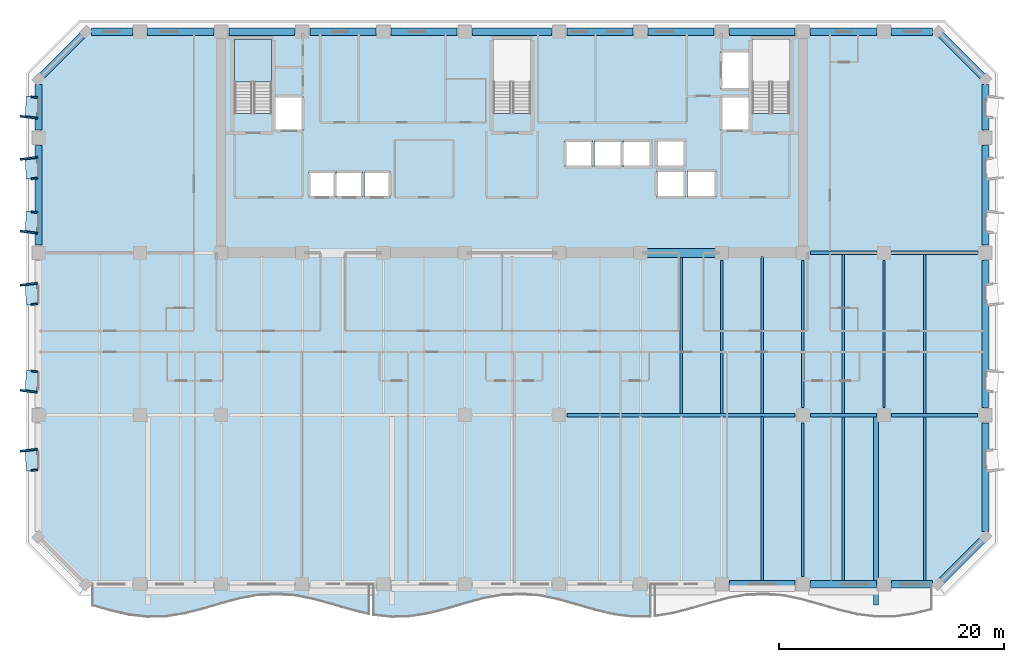
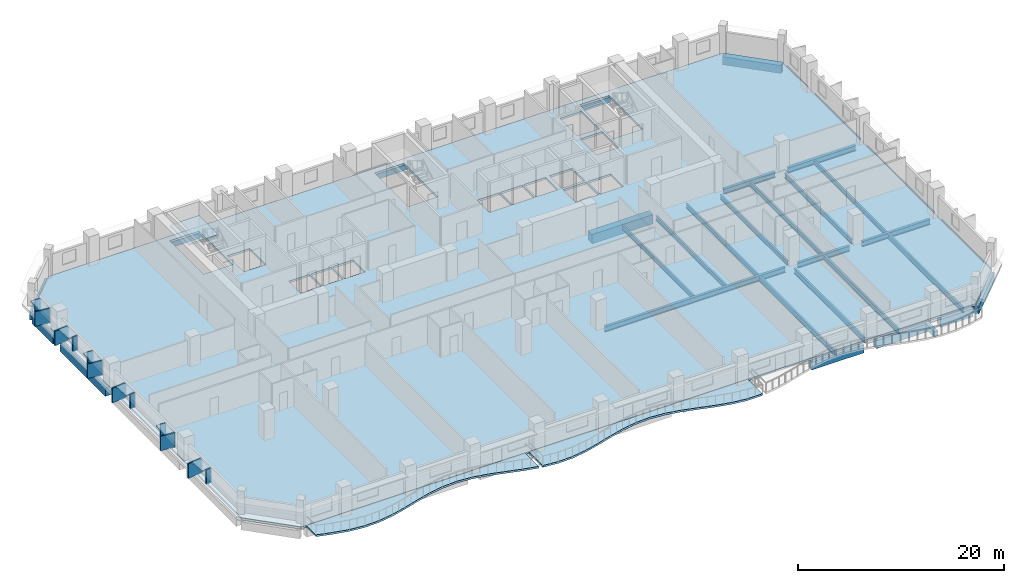
# One storey, part 2 of 14: 41 beams, 18 plates, 4 slabs, 1 element without a shape of its own.
"""IFC4 building model written with IfcOpenShell, lengths in metres."""

from ifc_helpers import new_model, si_unit, direction, frame, origin, origin_2d, place, context, subcontext, project, spatial, polyline, rectangle, i_section, outline, extrude, material, layer, layer_set, material_profile, profile_set, type_object, element, aggregate, save


model = new_model("IFC4")

# Units and contexts
model_context = context("Model", 3, precision=1e-05, world=origin(), true_north=direction((0.0, 1.0)))
body_context = subcontext(model_context, "Body", "Model", "MODEL_VIEW")
ifc_project = project(units=[si_unit("LENGTHUNIT", "METRE"), si_unit("AREAUNIT", "SQUARE_METRE"), si_unit("VOLUMEUNIT", "CUBIC_METRE"), si_unit("PLANEANGLEUNIT", "RADIAN"), si_unit("MASSUNIT", "GRAM", prefix="KILO")], contexts=[model_context])

# Site, building, storey
site_placement = place(None, origin())
site = spatial("IfcSite", under=ifc_project, at=site_placement, CompositionType="ELEMENT")
building_placement = place(site_placement, origin())
building = spatial("IfcBuilding", under=site, at=building_placement, Name="Kaelvorn Grand Hotel", CompositionType="ELEMENT")
storey_placement = place(building_placement, frame((0.0, 0.0, 85.550048828125)))
storey = spatial("IfcBuildingStorey", under=building, at=storey_placement, Name="L19", CompositionType="ELEMENT", Elevation=85.550048828125)

# Beams
ifc_material_1 = material(Name="Steel S355", Category="steel")
ifc_material_profile_1 = material_profile(ifc_material_1, i_section(OverallWidth=0.300048828125, OverallDepth=0.64990234375, WebThickness=0.01611328125, FlangeThickness=0.031005859375, FilletRadius=0.027099609375, at=origin_2d()), Name="HEB 650")
ifc_profile_set_1 = profile_set([ifc_material_profile_1], Name="Steel S355")
beam_type_1 = type_object("IfcBeamType", Name="BM-G-HEB650-S355", PredefinedType="BEAM", material=ifc_profile_set_1)
beam_1_placement = place(storey_placement, frame((46.885009765625, 15.0, -0.56494140625), z_axis=(1.0, 0.0, 0.0), x_axis=(0.0, 1.0, 0.0)))
element("IfcBeam", 1, at=beam_1_placement, inside=storey, type_object=beam_type_1, Name="L19 Primary Spine Steel Girder G-15 05", PredefinedType="BEAM", context=body_context, shape_type="SweptSolid", body=[
    extrude(i_section(OverallWidth=0.300048828125, OverallDepth=0.64990234375, WebThickness=0.01611328125, FlangeThickness=0.031005859375, FilletRadius=0.027099609375, at=origin_2d()), origin(), (0.0, 0.0, 1.0), 20.22998046875),
])
beam_2_placement = place(storey_placement, frame((68.485107421875, 15.0, -0.56494140625), z_axis=(1.0, 0.0, 0.0), x_axis=(0.0, 1.0, 0.0)))
element("IfcBeam", 2, at=beam_2_placement, inside=storey, type_object=beam_type_1, Name="L19 Primary Spine Steel Girder G-15 06", PredefinedType="BEAM", context=body_context, shape_type="SweptSolid", body=[
    extrude(i_section(OverallWidth=0.300048828125, OverallDepth=0.64990234375, WebThickness=0.01611328125, FlangeThickness=0.031005859375, FilletRadius=0.027099609375, at=origin_2d()), origin(), (0.0, 0.0, 1.0), 5.829833984375),
])
beam_3_placement = place(storey_placement, frame((75.68505859375, 15.0, -0.56494140625), z_axis=(1.0, 0.0, 0.0), x_axis=(0.0, 1.0, 0.0)))
element("IfcBeam", 3, at=beam_3_placement, inside=storey, type_object=beam_type_1, Name="L19 Primary Spine Steel Girder G-15 07", PredefinedType="BEAM", context=body_context, shape_type="SweptSolid", body=[
    extrude(i_section(OverallWidth=0.300048828125, OverallDepth=0.64990234375, WebThickness=0.01611328125, FlangeThickness=0.031005859375, FilletRadius=0.027099609375, at=origin_2d()), origin(), (0.0, 0.0, 1.0), 7.6298828125),
])
beam_4_placement = place(storey_placement, frame((68.485107421875, 29.39990234375, -0.56494140625), z_axis=(1.0, 0.0, 0.0), x_axis=(0.0, 1.0, 0.0)))
element("IfcBeam", 4, at=beam_4_placement, inside=storey, type_object=beam_type_1, Name="L19 East Core Wing Steel Girder G-29E 01", PredefinedType="BEAM", context=body_context, shape_type="SweptSolid", body=[
    extrude(i_section(OverallWidth=0.300048828125, OverallDepth=0.64990234375, WebThickness=0.01611328125, FlangeThickness=0.031005859375, FilletRadius=0.027099609375, at=origin_2d()), origin(), (0.0, 0.0, 1.0), 5.829833984375),
])
beam_5_placement = place(storey_placement, frame((75.68505859375, 29.39990234375, -0.56494140625), z_axis=(1.0, 0.0, 0.0), x_axis=(0.0, 1.0, 0.0)))
element("IfcBeam", 5, at=beam_5_placement, inside=storey, type_object=beam_type_1, Name="L19 East Core Wing Steel Girder G-29E 02", PredefinedType="BEAM", context=body_context, shape_type="SweptSolid", body=[
    extrude(i_section(OverallWidth=0.300048828125, OverallDepth=0.64990234375, WebThickness=0.01611328125, FlangeThickness=0.031005859375, FilletRadius=0.027099609375, at=origin_2d()), origin(), (0.0, 0.0, 1.0), 7.6298828125),
])
ifc_material_profile_2 = material_profile(ifc_material_1, i_section(OverallWidth=0.209228515625, OverallDepth=0.533203125, WebThickness=0.010009765625, FlangeThickness=0.015625, FilletRadius=0.0126953125, at=origin_2d()), Name="UB 533x210x92")
ifc_profile_set_2 = profile_set([ifc_material_profile_2], Name="Steel S355")
beam_type_2 = type_object("IfcBeamType", Name="BM-J-UB533-S355", PredefinedType="JOIST", material=ifc_profile_set_2)
beam_6_placement = place(storey_placement, frame((57.0, 15.135009765625, -0.506591796875), z_axis=(0.0, 1.0, 0.0), x_axis=(-1.0, 0.0, 0.0)))
element("IfcBeam", 6, at=beam_6_placement, inside=storey, type_object=beam_type_2, Name="L19 Composite Floor Joist JM-16", PredefinedType="JOIST", context=body_context, shape_type="SweptSolid", body=[
    extrude(i_section(OverallWidth=0.209228515625, OverallDepth=0.533203125, WebThickness=0.010009765625, FlangeThickness=0.015625, FilletRadius=0.0126953125, at=origin_2d()), origin(), (0.0, 0.0, 1.0), 13.925048828125),
])
beam_7_placement = place(storey_placement, frame((60.60009765625, 15.135009765625, -0.506591796875), z_axis=(0.0, 1.0, 0.0), x_axis=(-1.0, 0.0, 0.0)))
element("IfcBeam", 7, at=beam_7_placement, inside=storey, type_object=beam_type_2, Name="L19 Composite Floor Joist JM-17", PredefinedType="JOIST", context=body_context, shape_type="SweptSolid", body=[
    extrude(i_section(OverallWidth=0.209228515625, OverallDepth=0.533203125, WebThickness=0.010009765625, FlangeThickness=0.015625, FilletRadius=0.0126953125, at=origin_2d()), origin(), (0.0, 0.0, 1.0), 13.580078125),
])
beam_8_placement = place(storey_placement, frame((64.199951171875, 15.135009765625, -0.506591796875), z_axis=(0.0, 1.0, 0.0), x_axis=(-1.0, 0.0, 0.0)))
element("IfcBeam", 8, at=beam_8_placement, inside=storey, type_object=beam_type_2, Name="L19 Composite Floor Joist JM-18", PredefinedType="JOIST", context=body_context, shape_type="SweptSolid", body=[
    extrude(i_section(OverallWidth=0.209228515625, OverallDepth=0.533203125, WebThickness=0.010009765625, FlangeThickness=0.015625, FilletRadius=0.0126953125, at=origin_2d()), origin(), (0.0, 0.0, 1.0), 13.925048828125),
])
beam_9_placement = place(storey_placement, frame((67.800048828125, 15.68505859375, -0.506591796875), z_axis=(0.0, 1.0, 0.0), x_axis=(-1.0, 0.0, 0.0)))
element("IfcBeam", 9, at=beam_9_placement, inside=storey, type_object=beam_type_2, Name="L19 Composite Floor Joist JM-19", PredefinedType="JOIST", context=body_context, shape_type="SweptSolid", body=[
    extrude(i_section(OverallWidth=0.209228515625, OverallDepth=0.533203125, WebThickness=0.010009765625, FlangeThickness=0.015625, FilletRadius=0.0126953125, at=origin_2d()), origin(), (0.0, 0.0, 1.0), 13.030029296875),
])
beam_10_placement = place(storey_placement, frame((71.39990234375, 15.135009765625, -0.506591796875), z_axis=(0.0, 1.0, 0.0), x_axis=(-1.0, 0.0, 0.0)))
element("IfcBeam", 10, at=beam_10_placement, inside=storey, type_object=beam_type_2, Name="L19 Composite Floor Joist JM-20", PredefinedType="JOIST", context=body_context, shape_type="SweptSolid", body=[
    extrude(i_section(OverallWidth=0.209228515625, OverallDepth=0.533203125, WebThickness=0.010009765625, FlangeThickness=0.015625, FilletRadius=0.0126953125, at=origin_2d()), origin(), (0.0, 0.0, 1.0), 14.1298828125),
])
beam_11_placement = place(storey_placement, frame((75.0, 15.68505859375, -0.506591796875), z_axis=(0.0, 1.0, 0.0), x_axis=(-1.0, 0.0, 0.0)))
element("IfcBeam", 11, at=beam_11_placement, inside=storey, type_object=beam_type_2, Name="L19 Composite Floor Joist JM-21", PredefinedType="JOIST", context=body_context, shape_type="SweptSolid", body=[
    extrude(i_section(OverallWidth=0.209228515625, OverallDepth=0.533203125, WebThickness=0.010009765625, FlangeThickness=0.015625, FilletRadius=0.0126953125, at=origin_2d()), origin(), (0.0, 0.0, 1.0), 13.030029296875),
])
beam_12_placement = place(storey_placement, frame((78.60009765625, 15.135009765625, -0.506591796875), z_axis=(0.0, 1.0, 0.0), x_axis=(-1.0, 0.0, 0.0)))
element("IfcBeam", 12, at=beam_12_placement, inside=storey, type_object=beam_type_2, Name="L19 Composite Floor Joist JM-22", PredefinedType="JOIST", context=body_context, shape_type="SweptSolid", body=[
    extrude(i_section(OverallWidth=0.209228515625, OverallDepth=0.533203125, WebThickness=0.010009765625, FlangeThickness=0.015625, FilletRadius=0.0126953125, at=origin_2d()), origin(), (0.0, 0.0, 1.0), 14.1298828125),
])
ifc_material_profile_3 = material_profile(ifc_material_1, i_section(OverallWidth=0.22900390625, OverallDepth=0.6123046875, WebThickness=0.011962890625, FlangeThickness=0.01953125, FilletRadius=0.0126953125, at=origin_2d()), Name="UB 610x229x125")
ifc_profile_set_3 = profile_set([ifc_material_profile_3], Name="Steel S355")
beam_type_3 = type_object("IfcBeamType", Name="BM-J-UB610-S355", PredefinedType="JOIST", material=ifc_profile_set_3)
beam_13_placement = place(storey_placement, frame((64.199951171875, 0.31005859375, -0.546142578125), z_axis=(0.0, 1.0, 0.0), x_axis=(-1.0, 0.0, 0.0)))
element("IfcBeam", 13, at=beam_13_placement, inside=storey, type_object=beam_type_3, Name="L19 Composite Floor Joist JS-18", PredefinedType="JOIST", context=body_context, shape_type="SweptSolid", body=[
    extrude(i_section(OverallWidth=0.22900390625, OverallDepth=0.6123046875, WebThickness=0.011962890625, FlangeThickness=0.01953125, FilletRadius=0.0126953125, at=origin_2d()), origin(), (0.0, 0.0, 1.0), 14.554931640625),
])
beam_14_placement = place(storey_placement, frame((67.800048828125, 0.68505859375, -0.546142578125), z_axis=(0.0, 1.0, 0.0), x_axis=(-1.0, 0.0, 0.0)))
element("IfcBeam", 14, at=beam_14_placement, inside=storey, type_object=beam_type_3, Name="L19 Composite Floor Joist JS-19", PredefinedType="JOIST", context=body_context, shape_type="SweptSolid", body=[
    extrude(i_section(OverallWidth=0.22900390625, OverallDepth=0.6123046875, WebThickness=0.011962890625, FlangeThickness=0.01953125, FilletRadius=0.0126953125, at=origin_2d()), origin(), (0.0, 0.0, 1.0), 13.6298828125),
])
for number, where, z_axis, x_axis, name in (
    (15, (71.39990234375, 0.31005859375, -0.546142578125), (0.0, 1.0, 0.0), (-1.0, 0.0, 0.0), "L19 Composite Floor Joist JS-20"),
    (16, (78.60009765625, 0.31005859375, -0.546142578125), (0.0, 1.0, 0.0), (-1.0, 0.0, 0.0), "L19 Composite Floor Joist JS-22"),
):
    element("IfcBeam", number, at=place(storey_placement, frame(where, z_axis=z_axis, x_axis=x_axis)), inside=storey, type_object=beam_type_3, Name=name, PredefinedType="JOIST", context=body_context, shape_type="SweptSolid", body=[
        extrude(i_section(OverallWidth=0.22900390625, OverallDepth=0.6123046875, WebThickness=0.011962890625, FlangeThickness=0.01953125, FilletRadius=0.0126953125, at=origin_2d()), origin(), (0.0, 0.0, 1.0), 14.554931640625),
    ])
ifc_material_2 = material(Name="Concrete C60/75", Category="concrete")
ifc_material_profile_4 = material_profile(ifc_material_2, rectangle(XDim=0.800048828125, YDim=1.10009765625, at=origin_2d()), Name="RC LINTEL 800x1100")
ifc_profile_set_4 = profile_set([ifc_material_profile_4], Name="Concrete C60/75")
beam_type_4 = type_object("IfcBeamType", Name="BM-LIN-800x1100-C60", PredefinedType="LINTEL", material=ifc_profile_set_4)
beam_15_placement = place(storey_placement, frame((53.580078125, 29.39990234375, -0.7900390625), z_axis=(1.0, 0.0, 0.0), x_axis=(0.0, 1.0, 0.0)))
element("IfcBeam", 17, at=beam_15_placement, inside=storey, type_object=beam_type_4, Name="L19 Rear-Core Coupling Lintel Beam CB1-03", PredefinedType="LINTEL", context=body_context, shape_type="SweptSolid", body=[
    extrude(rectangle(XDim=0.800048828125, YDim=1.10009765625, at=origin_2d()), origin(), (0.0, 0.0, 1.0), 6.83984375),
])
ifc_material_3 = material(Name="Concrete C40/50", Category="concrete")
ifc_material_profile_5 = material_profile(ifc_material_3, rectangle(XDim=0.449951171875, YDim=0.64990234375, at=origin_2d()), Name="RC RIB 450x650")
ifc_profile_set_5 = profile_set([ifc_material_profile_5], Name="Concrete C40/50")
beam_type_5 = type_object("IfcBeamType", Name="BM-RIB-450x650-C40", PredefinedType="SPANDREL", material=ifc_profile_set_5)
beam_16_placement = place(storey_placement, frame((74.293212890625, -1.85009765625, -0.545166015625), z_axis=(0.0, 1.0, 0.0), x_axis=(-1.0, 0.0, 0.0)))
element("IfcBeam", 18, at=beam_16_placement, inside=storey, type_object=beam_type_5, Name="L19 Cantilevered Balcony Back-Span Rib RB1-3", PredefinedType="SPANDREL", context=body_context, shape_type="SweptSolid", body=[
    extrude(rectangle(XDim=0.449951171875, YDim=0.64990234375, at=origin_2d()), origin(), (0.0, 0.0, 1.0), 16.715087890625),
])
ifc_material_profile_6 = material_profile(ifc_material_2, rectangle(XDim=0.64990234375, YDim=0.949951171875, at=origin_2d()), Name="RC SPANDREL 650x950")
ifc_profile_set_6 = profile_set([ifc_material_profile_6], Name="Concrete C60/75")
beam_type_6 = type_object("IfcBeamType", Name="BM-SP-650x950-C60", PredefinedType="SPANDREL", material=ifc_profile_set_6)
beam_17_placement = place(storey_placement, frame((61.284912109375, 0.0, -0.715087890625), z_axis=(1.0, 0.0, 0.0), x_axis=(0.0, 1.0, 0.0)))
element("IfcBeam", 19, at=beam_17_placement, inside=storey, type_object=beam_type_6, Name="L19 South Perimeter Spandrel 09", PredefinedType="SPANDREL", context=body_context, shape_type="SweptSolid", body=[
    extrude(rectangle(XDim=0.64990234375, YDim=0.949951171875, at=origin_2d()), origin(), (0.0, 0.0, 1.0), 5.830078125),
])
beam_18_placement = place(storey_placement, frame((68.485107421875, 0.0, -0.715087890625), z_axis=(1.0, 0.0, 0.0), x_axis=(0.0, 1.0, 0.0)))
element("IfcBeam", 20, at=beam_18_placement, inside=storey, type_object=beam_type_6, Name="L19 South Perimeter Spandrel 10", PredefinedType="SPANDREL", context=body_context, shape_type="SweptSolid", body=[
    extrude(rectangle(XDim=0.64990234375, YDim=0.949951171875, at=origin_2d()), origin(), (0.0, 0.0, 1.0), 5.829833984375),
])
for number, where, z_axis, x_axis, name in (
    (21, (75.68505859375, 0.0, -0.715087890625), (1.0, 0.0, 0.0), (0.0, 1.0, 0.0), "L19 South Perimeter Spandrel 11"),
    (22, (4.68505859375, 49.0, -0.715087890625), (1.0, 0.0, 0.0), (0.0, 1.0, 0.0), "L19 North Perimeter Spandrel 01"),
):
    element("IfcBeam", number, at=place(storey_placement, frame(where, z_axis=z_axis, x_axis=x_axis)), inside=storey, type_object=beam_type_6, Name=name, PredefinedType="SPANDREL", context=body_context, shape_type="SweptSolid", body=[
        extrude(rectangle(XDim=0.64990234375, YDim=0.949951171875, at=origin_2d()), origin(), (0.0, 0.0, 1.0), 3.6298828125),
    ])
beam_19_placement = place(storey_placement, frame((9.68505859375, 49.0, -0.715087890625), z_axis=(1.0, 0.0, 0.0), x_axis=(0.0, 1.0, 0.0)))
element("IfcBeam", 23, at=beam_19_placement, inside=storey, type_object=beam_type_6, Name="L19 North Perimeter Spandrel 02", PredefinedType="SPANDREL", context=body_context, shape_type="SweptSolid", body=[
    extrude(rectangle(XDim=0.64990234375, YDim=0.949951171875, at=origin_2d()), origin(), (0.0, 0.0, 1.0), 5.829833984375),
])
for number, where, z_axis, x_axis, name in (
    (24, (16.885009765625, 49.0, -0.715087890625), (1.0, 0.0, 0.0), (0.0, 1.0, 0.0), "L19 North Perimeter Spandrel 03"),
    (25, (24.0849609375, 49.0, -0.715087890625), (1.0, 0.0, 0.0), (0.0, 1.0, 0.0), "L19 North Perimeter Spandrel 04"),
    (26, (31.284912109375, 49.0, -0.715087890625), (1.0, 0.0, 0.0), (0.0, 1.0, 0.0), "L19 North Perimeter Spandrel 05"),
):
    element("IfcBeam", number, at=place(storey_placement, frame(where, z_axis=z_axis, x_axis=x_axis)), inside=storey, type_object=beam_type_6, Name=name, PredefinedType="SPANDREL", context=body_context, shape_type="SweptSolid", body=[
        extrude(rectangle(XDim=0.64990234375, YDim=0.949951171875, at=origin_2d()), origin(), (0.0, 0.0, 1.0), 5.830078125),
    ])
beam_20_placement = place(storey_placement, frame((38.485107421875, 49.0, -0.715087890625), z_axis=(1.0, 0.0, 0.0), x_axis=(0.0, 1.0, 0.0)))
element("IfcBeam", 27, at=beam_20_placement, inside=storey, type_object=beam_type_6, Name="L19 North Perimeter Spandrel 06", PredefinedType="SPANDREL", context=body_context, shape_type="SweptSolid", body=[
    extrude(rectangle(XDim=0.64990234375, YDim=0.949951171875, at=origin_2d()), origin(), (0.0, 0.0, 1.0), 7.02978515625),
])
for number, where, z_axis, x_axis, name in (
    (28, (46.885009765625, 49.0, -0.715087890625), (1.0, 0.0, 0.0), (0.0, 1.0, 0.0), "L19 North Perimeter Spandrel 07"),
    (29, (54.0849609375, 49.0, -0.715087890625), (1.0, 0.0, 0.0), (0.0, 1.0, 0.0), "L19 North Perimeter Spandrel 08"),
    (30, (61.284912109375, 49.0, -0.715087890625), (1.0, 0.0, 0.0), (0.0, 1.0, 0.0), "L19 North Perimeter Spandrel 09"),
):
    element("IfcBeam", number, at=place(storey_placement, frame(where, z_axis=z_axis, x_axis=x_axis)), inside=storey, type_object=beam_type_6, Name=name, PredefinedType="SPANDREL", context=body_context, shape_type="SweptSolid", body=[
        extrude(rectangle(XDim=0.64990234375, YDim=0.949951171875, at=origin_2d()), origin(), (0.0, 0.0, 1.0), 5.830078125),
    ])
beam_21_placement = place(storey_placement, frame((68.485107421875, 49.0, -0.715087890625), z_axis=(1.0, 0.0, 0.0), x_axis=(0.0, 1.0, 0.0)))
element("IfcBeam", 31, at=beam_21_placement, inside=storey, type_object=beam_type_6, Name="L19 North Perimeter Spandrel 10", PredefinedType="SPANDREL", context=body_context, shape_type="SweptSolid", body=[
    extrude(rectangle(XDim=0.64990234375, YDim=0.949951171875, at=origin_2d()), origin(), (0.0, 0.0, 1.0), 5.829833984375),
])
beam_22_placement = place(storey_placement, frame((75.68505859375, 49.0, -0.715087890625), z_axis=(1.0, 0.0, 0.0), x_axis=(0.0, 1.0, 0.0)))
element("IfcBeam", 32, at=beam_22_placement, inside=storey, type_object=beam_type_6, Name="L19 North Perimeter Spandrel 11", PredefinedType="SPANDREL", context=body_context, shape_type="SweptSolid", body=[
    extrude(rectangle(XDim=0.64990234375, YDim=0.949951171875, at=origin_2d()), origin(), (0.0, 0.0, 1.0), 3.6298828125),
])
beam_23_placement = place(storey_placement, frame((0.0, 30.0849609375, -0.715087890625), z_axis=(0.0, 1.0, 0.0), x_axis=(-1.0, 0.0, 0.0)))
element("IfcBeam", 33, at=beam_23_placement, inside=storey, type_object=beam_type_6, Name="L19 West Perimeter Spandrel 03", PredefinedType="SPANDREL", context=body_context, shape_type="SweptSolid", body=[
    extrude(rectangle(XDim=0.64990234375, YDim=0.949951171875, at=origin_2d()), origin(), (0.0, 0.0, 1.0), 8.830078125),
])
beam_24_placement = place(storey_placement, frame((0.0, 40.284912109375, -0.715087890625), z_axis=(0.0, 1.0, 0.0), x_axis=(-1.0, 0.0, 0.0)))
element("IfcBeam", 34, at=beam_24_placement, inside=storey, type_object=beam_type_6, Name="L19 West Perimeter Spandrel 04", PredefinedType="SPANDREL", context=body_context, shape_type="SweptSolid", body=[
    extrude(rectangle(XDim=0.64990234375, YDim=0.949951171875, at=origin_2d()), origin(), (0.0, 0.0, 1.0), 4.030029296875),
])
beam_25_placement = place(storey_placement, frame((84.0, 4.68505859375, -0.715087890625), z_axis=(0.0, 1.0, 0.0), x_axis=(-1.0, 0.0, 0.0)))
element("IfcBeam", 35, at=beam_25_placement, inside=storey, type_object=beam_type_6, Name="L19 East Perimeter Spandrel 01", PredefinedType="SPANDREL", context=body_context, shape_type="SweptSolid", body=[
    extrude(rectangle(XDim=0.64990234375, YDim=0.949951171875, at=origin_2d()), origin(), (0.0, 0.0, 1.0), 9.6298828125),
])
beam_26_placement = place(storey_placement, frame((84.0, 15.68505859375, -0.715087890625), z_axis=(0.0, 1.0, 0.0), x_axis=(-1.0, 0.0, 0.0)))
element("IfcBeam", 36, at=beam_26_placement, inside=storey, type_object=beam_type_6, Name="L19 East Perimeter Spandrel 02", PredefinedType="SPANDREL", context=body_context, shape_type="SweptSolid", body=[
    extrude(rectangle(XDim=0.64990234375, YDim=0.949951171875, at=origin_2d()), origin(), (0.0, 0.0, 1.0), 13.030029296875),
])
beam_27_placement = place(storey_placement, frame((84.0, 30.0849609375, -0.715087890625), z_axis=(0.0, 1.0, 0.0), x_axis=(-1.0, 0.0, 0.0)))
element("IfcBeam", 37, at=beam_27_placement, inside=storey, type_object=beam_type_6, Name="L19 East Perimeter Spandrel 03", PredefinedType="SPANDREL", context=body_context, shape_type="SweptSolid", body=[
    extrude(rectangle(XDim=0.64990234375, YDim=0.949951171875, at=origin_2d()), origin(), (0.0, 0.0, 1.0), 8.830078125),
])
beam_28_placement = place(storey_placement, frame((84.0, 40.284912109375, -0.715087890625), z_axis=(0.0, 1.0, 0.0), x_axis=(-1.0, 0.0, 0.0)))
element("IfcBeam", 38, at=beam_28_placement, inside=storey, type_object=beam_type_6, Name="L19 East Perimeter Spandrel 04", PredefinedType="SPANDREL", context=body_context, shape_type="SweptSolid", body=[
    extrude(rectangle(XDim=0.64990234375, YDim=0.949951171875, at=origin_2d()), origin(), (0.0, 0.0, 1.0), 4.030029296875),
])
for number, where, z_axis, x_axis, name in (
    (39, (79.800048828125, 0.0, -0.715087890625), (0.707106781187, 0.707106781187, 0.0), (-0.707106781187, 0.707106781187, 0.0), "L19 Chamfer Spandrel Beam 1"),
    (40, (84.0, 44.800048828125, -0.715087890625), (-0.707106781187, 0.707106781187, 0.0), (-0.707106781187, -0.707106781187, 0.0), "L19 Chamfer Spandrel Beam 2"),
    (41, (4.199951171875, 49.0, -0.715087890625), (-0.707106781187, -0.707106781187, 0.0), (0.707106781187, -0.707106781187, 0.0), "L19 Chamfer Spandrel Beam 3"),
):
    element("IfcBeam", number, at=place(storey_placement, frame(where, z_axis=z_axis, x_axis=x_axis)), inside=storey, type_object=beam_type_6, Name=name, PredefinedType="SPANDREL", context=body_context, shape_type="SweptSolid", body=[
        extrude(rectangle(XDim=0.64990234375, YDim=0.949951171875, at=origin_2d()), origin(), (0.0, 0.0, 1.0), 5.939697265625),
    ])

# Plates
ifc_material_4 = material(Name="Precast concrete C45/55", Category="concrete")
ifc_layer_1 = layer(ifc_material_4, 0.159912109375)
ifc_layer_set_1 = layer_set([ifc_layer_1], Name="Precast concrete C45/55")
plate_type_1 = type_object("IfcPlateType", Name="PL-FRAME-DEEP-1550", PredefinedType="USERDEFINED", material=ifc_layer_set_1)
for number, where, z_axis, x_axis, name in (
    (42, (-0.864990234375, 11.889892578125, 0.68994140625), (0.0, 0.0, 1.0), (-0.121869343405, 0.992546151641, 0.0), "L19 Tilted Precast Window Frame Fin R-W01"),
    (43, (-0.864990234375, 17.110107421875, 0.68994140625), (0.0, 0.0, 1.0), (0.121869343405, 0.992546151641, 0.0), "L19 Tilted Precast Window Frame Fin L-W02"),
    (44, (-0.864990234375, 26.614990234375, 0.68994140625), (0.0, 0.0, 1.0), (-0.121869343405, 0.992546151641, 0.0), "L19 Tilted Precast Window Frame Fin R-W03"),
    (45, (-0.864990234375, 31.22509765625, 0.68994140625), (0.0, 0.0, 1.0), (0.121869343405, 0.992546151641, 0.0), "L19 Tilted Precast Window Frame Fin L-W04"),
    (46, (-0.864990234375, 37.77490234375, 0.68994140625), (0.0, 0.0, 1.0), (-0.121869343405, 0.992546151641, 0.0), "L19 Tilted Precast Window Frame Fin R-W05"),
    (47, (-0.864990234375, 41.425048828125, 0.68994140625), (0.0, 0.0, 1.0), (0.121869343405, 0.992546151641, 0.0), "L19 Tilted Precast Window Frame Fin L-W06"),
):
    element("IfcPlate", number, at=place(storey_placement, frame(where, z_axis=z_axis, x_axis=x_axis)), inside=storey, type_object=plate_type_1, Name=name, ObjectType="FLANGE_PLATE", PredefinedType="USERDEFINED", context=body_context, shape_type="SweptSolid", body=[
        extrude(rectangle(XDim=0.159912109375, YDim=1.550048828125, at=origin_2d()), origin(), (0.0, 0.0, 1.0), 1.719970703125),
    ])
ifc_layer_2 = layer(ifc_material_4, 0.159912109375)
ifc_layer_set_2 = layer_set([ifc_layer_2], Name="Precast concrete C45/55")
plate_type_2 = type_object("IfcPlateType", Name="PL-FRAME-HEAD-1050", PredefinedType="USERDEFINED", material=ifc_layer_set_2)
for number, where, z_axis, x_axis, name in (
    (48, (-0.614990234375, 11.0, 2.25), (0.0, 0.0, 1.0), (-0.054950179912, 0.998489097451, 0.0), "L19 Precast Window Frame Head Hood H-W01"),
    (49, (-0.614990234375, 18.0, 2.25), (0.0, 0.0, 1.0), (0.054950179912, 0.998489097451, 0.0), "L19 Precast Window Frame Head Hood H-W02"),
    (50, (-0.614990234375, 25.72509765625, 2.25), (0.0, 0.0, 1.0), (-0.054950179912, 0.998489097451, 0.0), "L19 Precast Window Frame Head Hood H-W03"),
    (51, (-0.614990234375, 32.114990234375, 2.25), (0.0, 0.0, 1.0), (0.054950179912, 0.998489097451, 0.0), "L19 Precast Window Frame Head Hood H-W04"),
    (52, (-0.614990234375, 36.885009765625, 2.25), (0.0, 0.0, 1.0), (-0.054950179912, 0.998489097451, 0.0), "L19 Precast Window Frame Head Hood H-W05"),
    (53, (-0.614990234375, 42.31494140625, 2.25), (0.0, 0.0, 1.0), (0.054950179912, 0.998489097451, 0.0), "L19 Precast Window Frame Head Hood H-W06"),
):
    element("IfcPlate", number, at=place(storey_placement, frame(where, z_axis=z_axis, x_axis=x_axis)), inside=storey, type_object=plate_type_2, Name=name, ObjectType="FLANGE_PLATE", PredefinedType="USERDEFINED", context=body_context, shape_type="SweptSolid", body=[
        extrude(rectangle(XDim=1.860107421875, YDim=1.050048828125, at=origin_2d()), origin(), (0.0, 0.0, 1.0), 0.159912109375),
    ])
ifc_layer_3 = layer(ifc_material_4, 0.159912109375)
ifc_layer_set_3 = layer_set([ifc_layer_3], Name="Precast concrete C45/55")
plate_type_3 = type_object("IfcPlateType", Name="PL-FRAME-SHAL-550", PredefinedType="USERDEFINED", material=ifc_layer_set_3)
for number, where, z_axis, x_axis, name in (
    (54, (-0.364990234375, 10.110107421875, 0.68994140625), (0.0, 0.0, 1.0), (-0.121869343405, 0.992546151641, 0.0), "L19 Tilted Precast Window Frame Fin L-W01"),
    (55, (-0.364990234375, 18.889892578125, 0.68994140625), (0.0, 0.0, 1.0), (0.121869343405, 0.992546151641, 0.0), "L19 Tilted Precast Window Frame Fin R-W02"),
    (56, (-0.364990234375, 24.8349609375, 0.68994140625), (0.0, 0.0, 1.0), (-0.121869343405, 0.992546151641, 0.0), "L19 Tilted Precast Window Frame Fin L-W03"),
    (57, (-0.364990234375, 33.0048828125, 0.68994140625), (0.0, 0.0, 1.0), (0.121869343405, 0.992546151641, 0.0), "L19 Tilted Precast Window Frame Fin R-W04"),
    (58, (-0.364990234375, 35.9951171875, 0.68994140625), (0.0, 0.0, 1.0), (-0.121869343405, 0.992546151641, 0.0), "L19 Tilted Precast Window Frame Fin L-W05"),
    (59, (-0.364990234375, 43.205078125, 0.68994140625), (0.0, 0.0, 1.0), (0.121869343405, 0.992546151641, 0.0), "L19 Tilted Precast Window Frame Fin R-W06"),
):
    element("IfcPlate", number, at=place(storey_placement, frame(where, z_axis=z_axis, x_axis=x_axis)), inside=storey, type_object=plate_type_3, Name=name, ObjectType="FLANGE_PLATE", PredefinedType="USERDEFINED", context=body_context, shape_type="SweptSolid", body=[
        extrude(rectangle(XDim=0.159912109375, YDim=0.550048828125, at=origin_2d()), origin(), (0.0, 0.0, 1.0), 1.719970703125),
    ])

# Slabs
ifc_layer_4 = layer(ifc_material_3, 0.219970703125)
ifc_layer_set_4 = layer_set([ifc_layer_4], Name="Concrete C40/50")
slab_type_1 = type_object("IfcSlabType", Name="SLB-BALC-220-C40", PredefinedType="FLOOR", material=ifc_layer_set_4)
slab_1_placement = place(storey_placement, frame((0.0, 0.0, -0.219970703125)))
element("IfcSlab", 60, at=slab_1_placement, inside=storey, type_object=slab_type_1, Name="L19 Scalloped Wave Balcony Slab 1", PredefinedType="FLOOR", context=body_context, shape_type="SweptSolid", body=[
    extrude(outline(polyline([(4.800048828125, -1.875), (6.435546875, -2.344482421875), (8.071044921875, -2.709716796875), (9.706787109375, -2.889404296875), (11.34228515625, -2.843994140625), (12.977783203125, -2.583251953125), (14.61328125, -2.165283203125), (16.248779296875, -1.6826171875), (17.884521484375, -1.242919921875), (19.52001953125, -0.943603515625), (21.155517578125, -0.85107421875), (22.791015625, -0.986083984375), (24.4267578125, -1.318359375), (26.062255859375, -1.7744140625), (27.69775390625, -2.2529296875), (29.333251953125, -2.647216796875), (29.333251953125, 0.0), (4.800048828125, 0.0), (4.800048828125, -1.875)])), origin(), (0.0, 0.0, 1.0), 0.219970703125),
])
slab_2_placement = place(storey_placement, frame((0.0, 0.0, -0.219970703125)))
element("IfcSlab", 61, at=slab_2_placement, inside=storey, type_object=slab_type_1, Name="L19 Scalloped Wave Balcony Slab 2", PredefinedType="FLOOR", context=body_context, shape_type="SweptSolid", body=[
    extrude(outline(polyline([(29.7333984375, -2.72021484375), (31.368896484375, -2.891845703125), (33.00439453125, -2.837646484375), (34.639892578125, -2.569580078125), (36.275634765625, -2.147216796875), (37.9111328125, -1.66455078125), (39.546630859375, -1.228515625), (41.18212890625, -0.93603515625), (42.81787109375, -0.85205078125), (44.453369140625, -0.995361328125), (46.0888671875, -1.333984375), (47.724365234375, -1.79296875), (49.360107421875, -2.27001953125), (50.99560546875, -2.659423828125), (52.631103515625, -2.87451171875), (54.2666015625, -2.86767578125), (54.2666015625, 0.0), (29.7333984375, 0.0), (29.7333984375, -2.72021484375)])), origin(), (0.0, 0.0, 1.0), 0.219970703125),
])
ifc_layer_5 = layer(ifc_material_3, 0.239990234375)
ifc_layer_set_5 = layer_set([ifc_layer_5], Name="Concrete C40/50")
slab_type_2 = type_object("IfcSlabType", Name="SLB-FLR-240-C40", PredefinedType="FLOOR", material=ifc_layer_set_5)
slab_3_placement = place(storey_placement, frame((0.0, 0.0, -0.239990234375)))
element("IfcSlab", 62, at=slab_3_placement, inside=storey, type_object=slab_type_2, Name="L19 Indoor Suspended Floor Slab", PredefinedType="FLOOR", context=body_context, shape_type="SweptSolid", body=[
    extrude(outline(polyline([(4.199951171875, 0.0), (79.800048828125, 0.0), (84.0, 4.199951171875), (84.0, 44.800048828125), (79.800048828125, 49.0), (4.199951171875, 49.0), (0.0, 44.800048828125), (0.0, 4.199951171875), (4.199951171875, 0.0)]), holes=[polyline([(17.39990234375, 41.760009765625), (17.39990234375, 48.300048828125), (20.679931640625, 48.300048828125), (20.679931640625, 41.760009765625), (17.39990234375, 41.760009765625)]), polyline([(40.360107421875, 41.760009765625), (40.360107421875, 48.300048828125), (43.639892578125, 48.300048828125), (43.639892578125, 41.760009765625), (40.360107421875, 41.760009765625)]), polyline([(63.320068359375, 41.760009765625), (63.320068359375, 48.300048828125), (66.60009765625, 48.300048828125), (66.60009765625, 41.760009765625), (63.320068359375, 41.760009765625)]), polyline([(24.0, 34.300048828125), (24.0, 36.60009765625), (26.300048828125, 36.60009765625), (26.300048828125, 34.300048828125), (24.0, 34.300048828125)]), polyline([(26.449951171875, 34.300048828125), (26.449951171875, 36.60009765625), (28.75, 36.60009765625), (28.75, 34.300048828125), (26.449951171875, 34.300048828125)]), polyline([(28.89990234375, 34.300048828125), (28.89990234375, 36.60009765625), (31.199951171875, 36.60009765625), (31.199951171875, 34.300048828125), (28.89990234375, 34.300048828125)]), polyline([(46.699951171875, 37.0), (46.699951171875, 39.35009765625), (49.14990234375, 39.35009765625), (49.14990234375, 37.0), (46.699951171875, 37.0)]), polyline([(49.300048828125, 37.0), (49.300048828125, 39.35009765625), (51.75, 39.35009765625), (51.75, 37.0), (49.300048828125, 37.0)]), polyline([(51.89990234375, 37.0), (51.89990234375, 39.35009765625), (54.35009765625, 39.35009765625), (54.35009765625, 37.0), (51.89990234375, 37.0)]), polyline([(54.800048828125, 34.300048828125), (54.800048828125, 36.699951171875), (57.35009765625, 36.699951171875), (57.35009765625, 34.300048828125), (54.800048828125, 34.300048828125)]), polyline([(57.550048828125, 34.300048828125), (57.550048828125, 36.699951171875), (60.10009765625, 36.699951171875), (60.10009765625, 34.300048828125), (57.550048828125, 34.300048828125)]), polyline([(54.800048828125, 37.0), (54.800048828125, 39.39990234375), (57.35009765625, 39.39990234375), (57.35009765625, 37.0), (54.800048828125, 37.0)]), polyline([(21.0, 40.199951171875), (21.0, 43.300048828125), (23.449951171875, 43.300048828125), (23.449951171875, 40.199951171875), (21.0, 40.199951171875)]), polyline([(60.550048828125, 40.199951171875), (60.550048828125, 43.300048828125), (63.0, 43.300048828125), (63.0, 40.199951171875), (60.550048828125, 40.199951171875)]), polyline([(60.550048828125, 43.89990234375), (60.550048828125, 47.300048828125), (63.0, 47.300048828125), (63.0, 43.89990234375), (60.550048828125, 43.89990234375)])]), origin(), (0.0, 0.0, 1.0), 0.239990234375),
])

# Stair, slab
stair_type = type_object("IfcStairType", Name="STR-DOG-1560-R06", PredefinedType="HALF_TURN_STAIR", material=ifc_material_3)
stair_placement = place(storey_placement, origin())
stair = element("IfcStair", 63, at=stair_placement, inside=storey, type_object=stair_type, Name="L19 West Core Exit Stair ST1", PredefinedType="HALF_TURN_STAIR")
ifc_layer_6 = layer(ifc_material_3, 0.199951171875)
ifc_layer_set_6 = layer_set([ifc_layer_6], Name="Concrete C40/50")
slab_type_3 = type_object("IfcSlabType", Name="SLB-LAND-200-C40", PredefinedType="LANDING", material=ifc_layer_set_6)
slab_4_placement = place(storey_placement, frame((0.0, 0.0, 1.675048828125)))
slab_4 = element("IfcSlab", 64, at=slab_4_placement, type_object=slab_type_3, Name="ST1 landing 1", PredefinedType="LANDING", context=body_context, shape_type="SweptSolid", body=[
    extrude(outline(polyline([(20.679931640625, 44.56005859375), (20.679931640625, 48.300048828125), (17.39990234375, 48.300048828125), (17.39990234375, 44.56005859375), (20.679931640625, 44.56005859375)])), origin(), (0.0, 0.0, 1.0), 0.199951171875),
])
aggregate(stair, [slab_4])

save(model, "model.ifc")
